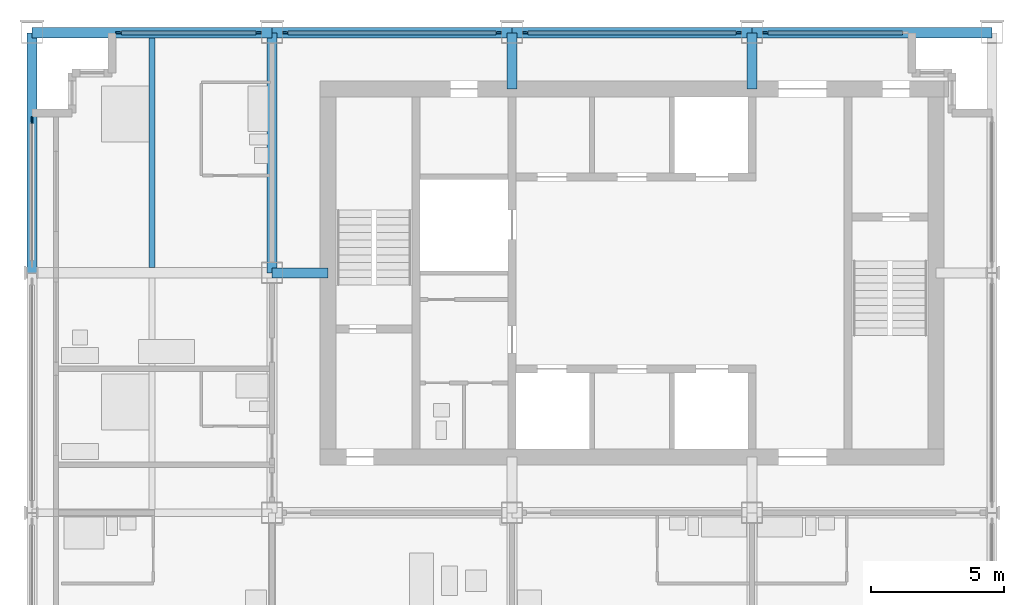
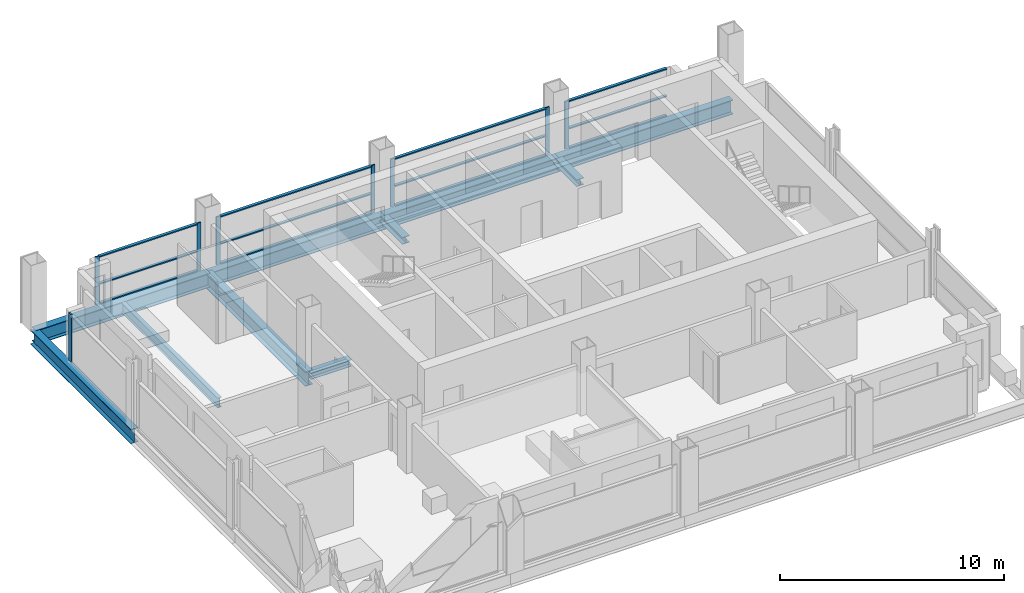
# One storey, part 3 of 11: 23 members, 7 beams, 5 elements without a shape of their own.
"""IFC4 building model written with IfcOpenShell, lengths in metres."""

from ifc_helpers import new_model, si_unit, direction, frame, origin, origin_2d, place, context, subcontext, project, spatial, rectangle, i_section, extrude, material, material_profile, profile_set, type_object, element, aggregate, save


model = new_model("IFC4")

# Units and contexts
model_context = context("Model", 3, precision=1e-05, world=origin(), true_north=direction((0.0, 1.0)))
body_context = subcontext(model_context, "Body", "Model", "MODEL_VIEW")
ifc_project = project(units=[si_unit("LENGTHUNIT", "METRE"), si_unit("AREAUNIT", "SQUARE_METRE"), si_unit("VOLUMEUNIT", "CUBIC_METRE"), si_unit("PLANEANGLEUNIT", "RADIAN"), si_unit("MASSUNIT", "GRAM", prefix="KILO")], contexts=[model_context])

# Site, building, storey
site_placement = place(None, origin())
site = spatial("IfcSite", under=ifc_project, at=site_placement, CompositionType="ELEMENT")
building_placement = place(site_placement, origin())
building = spatial("IfcBuilding", under=site, at=building_placement, Name="Loomwork Tower", CompositionType="ELEMENT")
storey_placement = place(building_placement, frame((0.0, 0.0, 248.199951171875)))
storey = spatial("IfcBuildingStorey", under=building, at=storey_placement, Name="L68", CompositionType="ELEMENT", Elevation=248.199951171875)

# Beam
ifc_material_1 = material(Name="Steel ASTM A992", Category="steel")
ifc_material_profile_1 = material_profile(ifc_material_1, i_section(OverallWidth=0.383544921875, OverallDepth=0.794921875, WebThickness=0.02099609375, FlangeThickness=0.0380859375, at=origin_2d()), Name="W30x235")
ifc_profile_set_1 = profile_set([ifc_material_profile_1], Name="Steel ASTM A992")
beam_type_1 = type_object("IfcBeamType", Name="CORE FLANK GIRDER W30x235", PredefinedType="BEAM", material=ifc_profile_set_1)
beam_1_placement = place(storey_placement, frame((9.0, 18.0, -0.597412109375), z_axis=(0.0, 1.0, 0.0), x_axis=(-1.0, 0.0, 0.0)))
element("IfcBeam", 1, at=beam_1_placement, inside=storey, type_object=beam_type_1, Name="Core Flank Girder F/3-G/3 L68", PredefinedType="BEAM", context=body_context, shape_type="SweptSolid", body=[
    extrude(i_section(OverallWidth=0.383544921875, OverallDepth=0.794921875, WebThickness=0.02099609375, FlangeThickness=0.0380859375, at=origin_2d()), origin(), (0.0, 0.0, 1.0), 9.0),
])

# Members
ifc_material_2 = material(Name="Steel ASTM A992", Category="steel")
ifc_material_profile_2 = material_profile(ifc_material_2, i_section(OverallWidth=0.373291015625, OverallDepth=0.373291015625, WebThickness=0.016357421875, FlangeThickness=0.026123046875, at=origin_2d()), Name="W14x132")
ifc_profile_set_2 = profile_set([ifc_material_profile_2], Name="Steel ASTM A992")
member_type_1 = type_object("IfcMemberType", Name="CORE LINK STRUT W14x132", PredefinedType="STRUT", material=ifc_profile_set_2)
for number, where, z_axis, x_axis, name in (
    (2, (18.0, 27.0, -0.38671875), (0.0, -1.0, 0.0), (1.0, 0.0, 0.0), "Core link strut G/4-18.000,24.900 L68"),
    (3, (27.0, 27.0, -0.38671875), (0.0, -1.0, 0.0), (1.0, 0.0, 0.0), "Core link strut G/5-27.000,24.900 L68"),
    (4, (9.0, 18.0, -0.38671875), (1.0, 0.0, 0.0), (0.0, 1.0, 0.0), "Core link strut F/3-11.100,18.000 L68"),
):
    element("IfcMember", number, at=place(storey_placement, frame(where, z_axis=z_axis, x_axis=x_axis)), inside=storey, type_object=member_type_1, Name=name, PredefinedType="STRUT", context=body_context, shape_type="SweptSolid", body=[
        extrude(i_section(OverallWidth=0.373291015625, OverallDepth=0.373291015625, WebThickness=0.016357421875, FlangeThickness=0.026123046875, at=origin_2d()), origin(), (0.0, 0.0, 1.0), 2.10009765625),
    ])

# Beam
ifc_material_3 = material(Name="Steel ASTM A992", Category="steel")
ifc_material_profile_3 = material_profile(ifc_material_3, i_section(OverallWidth=0.2109375, OverallDepth=0.53857421875, WebThickness=0.011474609375, FlangeThickness=0.018798828125, at=origin_2d()), Name="W21x73")
ifc_profile_set_3 = profile_set([ifc_material_profile_3], Name="Steel ASTM A992")
beam_type_2 = type_object("IfcBeamType", Name="FLOOR JOIST W21x73", PredefinedType="JOIST", material=ifc_profile_set_3)
beam_2_placement = place(storey_placement, frame((4.5, 18.19091796875, -0.46923828125), z_axis=(0.0, 1.0, 0.0), x_axis=(-1.0, 0.0, 0.0)))
element("IfcBeam", 5, at=beam_2_placement, inside=storey, type_object=beam_type_2, Name="Floor Joist 4.500,18.000-4.500,27.000 L68", PredefinedType="JOIST", context=body_context, shape_type="SweptSolid", body=[
    extrude(i_section(OverallWidth=0.2109375, OverallDepth=0.53857421875, WebThickness=0.011474609375, FlangeThickness=0.018798828125, at=origin_2d()), origin(), (0.0, 0.0, 1.0), 8.619140625),
])

# Curtain wall, member
ifc_material_4 = material(Name="Aluminium curtain wall frame", Category="aluminium")
curtain_wall_type_1 = type_object("IfcCurtainWallType", Name="Outer skin glazing suites", PredefinedType="NOTDEFINED", material=ifc_material_4)
curtain_wall_1_placement = place(storey_placement, origin())
curtain_wall_1 = element("IfcCurtainWall", 6, at=curtain_wall_1_placement, inside=storey, type_object=curtain_wall_type_1, Name="Outer skin glazing suites cw/W-18", PredefinedType="NOTDEFINED")
ifc_material_5 = material(Name="Aluminium curtain wall frame", Category="aluminium")
ifc_material_profile_4 = material_profile(ifc_material_5, rectangle(XDim=0.06494140625, YDim=0.25, at=origin_2d()), Name="AL 65x250")
ifc_profile_set_4 = profile_set([ifc_material_profile_4], Name="Aluminium curtain wall frame")
member_type_2 = type_object("IfcMemberType", Name="Outer skin glazing suites mullion", PredefinedType="MULLION", material=ifc_profile_set_4)
member_1_placement = place(storey_placement, frame((0.0, 23.72509765625, 0.0), z_axis=(0.0, 0.0, 1.0), x_axis=(1.0, 0.0, 0.0)))
member_1 = element("IfcMember", 7, at=member_1_placement, type_object=member_type_2, Name="CW2 mullion 1", PredefinedType="MULLION", context=body_context, shape_type="SweptSolid", body=[
    extrude(rectangle(XDim=0.06494140625, YDim=0.25, at=origin_2d()), origin(), (0.0, 0.0, 1.0), 2.620361328125),
])
aggregate(curtain_wall_1, [member_1])

# Beams
ifc_material_6 = material(Name="Steel ASTM A992", Category="steel")
ifc_material_profile_5 = material_profile(ifc_material_6, i_section(OverallWidth=0.381103515625, OverallDepth=0.77978515625, WebThickness=0.01806640625, FlangeThickness=0.0302734375, at=origin_2d()), Name="W30x191")
ifc_profile_set_5 = profile_set([ifc_material_profile_5], Name="Steel ASTM A992")
beam_type_3 = type_object("IfcBeamType", Name="SPANDREL GIRDER W30x191", PredefinedType="SPANDREL", material=ifc_profile_set_5)
for number, where, z_axis, x_axis, name in (
    (8, (0.0, 27.0, -0.58984375), (1.0, 0.0, 0.0), (0.0, 1.0, 0.0), "Spandrel Girder G/2-G/3 L68"),
    (9, (9.0, 27.0, -0.58984375), (1.0, 0.0, 0.0), (0.0, 1.0, 0.0), "Spandrel Girder G/3-G/4 L68"),
    (10, (18.0, 27.0, -0.58984375), (1.0, 0.0, 0.0), (0.0, 1.0, 0.0), "Spandrel Girder G/4-G/5 L68"),
    (11, (27.0, 27.0, -0.58984375), (1.0, 0.0, 0.0), (0.0, 1.0, 0.0), "Spandrel Girder G/5-G/6 L68"),
    (12, (0.0, 18.0, -0.58984375), (0.0, 1.0, 0.0), (-1.0, 0.0, 0.0), "Spandrel Girder F/2-G/2 L68"),
):
    element("IfcBeam", number, at=place(storey_placement, frame(where, z_axis=z_axis, x_axis=x_axis)), inside=storey, type_object=beam_type_3, Name=name, PredefinedType="SPANDREL", context=body_context, shape_type="SweptSolid", body=[
        extrude(i_section(OverallWidth=0.381103515625, OverallDepth=0.77978515625, WebThickness=0.01806640625, FlangeThickness=0.0302734375, at=origin_2d()), origin(), (0.0, 0.0, 1.0), 9.0),
    ])

# Curtain wall, members
ifc_material_7 = material(Name="Aluminium curtain wall frame", Category="aluminium")
curtain_wall_type_2 = type_object("IfcCurtainWallType", Name="Single skin glazing corridor", PredefinedType="NOTDEFINED", material=ifc_material_7)
curtain_wall_2_placement = place(storey_placement, origin())
curtain_wall_2 = element("IfcCurtainWall", 13, at=curtain_wall_2_placement, inside=storey, type_object=curtain_wall_type_2, Name="Single skin glazing corridor cw/N-0", PredefinedType="NOTDEFINED")
ifc_material_8 = material(Name="Aluminium curtain wall frame", Category="aluminium")
ifc_material_profile_6 = material_profile(ifc_material_8, rectangle(XDim=0.06494140625, YDim=0.199951171875, at=origin_2d()), Name="AL 65x200")
ifc_profile_set_6 = profile_set([ifc_material_profile_6], Name="Aluminium curtain wall frame")
member_type_3 = type_object("IfcMemberType", Name="Single skin glazing corridor mullion", PredefinedType="MULLION", material=ifc_profile_set_6)
member_2_placement = place(storey_placement, frame((8.5, 27.0, 0.0), z_axis=(0.0, 0.0, 1.0), x_axis=(0.0, -1.0, 0.0)))
member_2 = element("IfcMember", 14, at=member_2_placement, type_object=member_type_3, Name="CW3 mullion 1", PredefinedType="MULLION", context=body_context, shape_type="SweptSolid", body=[
    extrude(rectangle(XDim=0.06494140625, YDim=0.199951171875, at=origin_2d()), origin(), (0.0, 0.0, 1.0), 2.620361328125),
])
member_3_placement = place(storey_placement, frame((3.25, 27.0, 0.0), z_axis=(0.0, 0.0, 1.0), x_axis=(0.0, -1.0, 0.0)))
member_3 = element("IfcMember", 15, at=member_3_placement, type_object=member_type_3, Name="CW3 mullion 2", PredefinedType="MULLION", context=body_context, shape_type="SweptSolid", body=[
    extrude(rectangle(XDim=0.06494140625, YDim=0.199951171875, at=origin_2d()), origin(), (0.0, 0.0, 1.0), 2.620361328125),
])

curtain_wall_3_placement = place(storey_placement, origin())
curtain_wall_3 = element("IfcCurtainWall", 16, at=curtain_wall_3_placement, inside=storey, type_object=curtain_wall_type_2, Name="Single skin glazing corridor cw/N-9", PredefinedType="NOTDEFINED")
member_4_placement = place(storey_placement, frame((17.5, 27.0, 0.0), z_axis=(0.0, 0.0, 1.0), x_axis=(0.0, -1.0, 0.0)))
member_4 = element("IfcMember", 17, at=member_4_placement, type_object=member_type_3, Name="CW3 mullion 1", PredefinedType="MULLION", context=body_context, shape_type="SweptSolid", body=[
    extrude(rectangle(XDim=0.06494140625, YDim=0.199951171875, at=origin_2d()), origin(), (0.0, 0.0, 1.0), 2.620361328125),
])
member_5_placement = place(storey_placement, frame((9.5, 27.0, 0.0), z_axis=(0.0, 0.0, 1.0), x_axis=(0.0, -1.0, 0.0)))
member_5 = element("IfcMember", 18, at=member_5_placement, type_object=member_type_3, Name="CW3 mullion 2", PredefinedType="MULLION", context=body_context, shape_type="SweptSolid", body=[
    extrude(rectangle(XDim=0.06494140625, YDim=0.199951171875, at=origin_2d()), origin(), (0.0, 0.0, 1.0), 2.620361328125),
])

curtain_wall_4_placement = place(storey_placement, origin())
curtain_wall_4 = element("IfcCurtainWall", 19, at=curtain_wall_4_placement, inside=storey, type_object=curtain_wall_type_2, Name="Single skin glazing corridor cw/N-18", PredefinedType="NOTDEFINED")
member_6_placement = place(storey_placement, frame((26.5, 27.0, 0.0), z_axis=(0.0, 0.0, 1.0), x_axis=(0.0, -1.0, 0.0)))
member_6 = element("IfcMember", 20, at=member_6_placement, type_object=member_type_3, Name="CW3 mullion 1", PredefinedType="MULLION", context=body_context, shape_type="SweptSolid", body=[
    extrude(rectangle(XDim=0.06494140625, YDim=0.199951171875, at=origin_2d()), origin(), (0.0, 0.0, 1.0), 2.620361328125),
])
member_7_placement = place(storey_placement, frame((18.5, 27.0, 0.0), z_axis=(0.0, 0.0, 1.0), x_axis=(0.0, -1.0, 0.0)))
member_7 = element("IfcMember", 21, at=member_7_placement, type_object=member_type_3, Name="CW3 mullion 2", PredefinedType="MULLION", context=body_context, shape_type="SweptSolid", body=[
    extrude(rectangle(XDim=0.06494140625, YDim=0.199951171875, at=origin_2d()), origin(), (0.0, 0.0, 1.0), 2.620361328125),
])

# Curtain wall, member
curtain_wall_5_placement = place(storey_placement, origin())
curtain_wall_5 = element("IfcCurtainWall", 22, at=curtain_wall_5_placement, inside=storey, type_object=curtain_wall_type_2, Name="Single skin glazing corridor cw/N-27", PredefinedType="NOTDEFINED")
member_8_placement = place(storey_placement, frame((27.5, 27.0, 0.0), z_axis=(0.0, 0.0, 1.0), x_axis=(0.0, -1.0, 0.0)))
member_8 = element("IfcMember", 23, at=member_8_placement, type_object=member_type_3, Name="CW3 mullion 2", PredefinedType="MULLION", context=body_context, shape_type="SweptSolid", body=[
    extrude(rectangle(XDim=0.06494140625, YDim=0.199951171875, at=origin_2d()), origin(), (0.0, 0.0, 1.0), 2.620361328125),
])

# Member
ifc_material_9 = material(Name="Aluminium curtain wall frame", Category="aluminium")
ifc_material_profile_7 = material_profile(ifc_material_9, rectangle(XDim=0.14990234375, YDim=0.06494140625, at=origin_2d()), Name="AL 65x150")
ifc_profile_set_7 = profile_set([ifc_material_profile_7], Name="Aluminium curtain wall frame")
member_type_4 = type_object("IfcMemberType", Name="Single skin glazing corridor transom", PredefinedType="USERDEFINED", material=ifc_profile_set_7)
member_9_placement = place(storey_placement, frame((8.39990234375, 27.0, 0.032470703125), z_axis=(-1.0, 0.0, 0.0), x_axis=(0.0, -1.0, 0.0)))
member_9 = element("IfcMember", 24, at=member_9_placement, type_object=member_type_4, Name="CW3 transom 1.1", ObjectType="TRANSOM", PredefinedType="USERDEFINED", context=body_context, shape_type="SweptSolid", body=[
    extrude(rectangle(XDim=0.14990234375, YDim=0.06494140625, at=origin_2d()), origin(), (0.0, 0.0, 1.0), 5.0498046875),
])

member_10_placement = place(storey_placement, frame((8.39990234375, 27.0, 1.10009765625), z_axis=(-1.0, 0.0, 0.0), x_axis=(0.0, -1.0, 0.0)))
member_10 = element("IfcMember", 25, at=member_10_placement, type_object=member_type_4, Name="CW3 transom 1.2", ObjectType="TRANSOM", PredefinedType="USERDEFINED", context=body_context, shape_type="SweptSolid", body=[
    extrude(rectangle(XDim=0.14990234375, YDim=0.06494140625, at=origin_2d()), origin(), (0.0, 0.0, 1.0), 5.0498046875),
])

member_11_placement = place(storey_placement, frame((8.39990234375, 27.0, 2.587646484375), z_axis=(-1.0, 0.0, 0.0), x_axis=(0.0, -1.0, 0.0)))
member_11 = element("IfcMember", 26, at=member_11_placement, type_object=member_type_4, Name="CW3 transom 1.3", ObjectType="TRANSOM", PredefinedType="USERDEFINED", context=body_context, shape_type="SweptSolid", body=[
    extrude(rectangle(XDim=0.14990234375, YDim=0.06494140625, at=origin_2d()), origin(), (0.0, 0.0, 1.0), 5.0498046875),
])

aggregate(curtain_wall_2, [member_2, member_3, member_9, member_10, member_11])

member_12_placement = place(storey_placement, frame((17.39990234375, 27.0, 0.032470703125), z_axis=(-1.0, 0.0, 0.0), x_axis=(0.0, -1.0, 0.0)))
member_12 = element("IfcMember", 27, at=member_12_placement, type_object=member_type_4, Name="CW3 transom 1.1", ObjectType="TRANSOM", PredefinedType="USERDEFINED", context=body_context, shape_type="SweptSolid", body=[
    extrude(rectangle(XDim=0.14990234375, YDim=0.06494140625, at=origin_2d()), origin(), (0.0, 0.0, 1.0), 7.7998046875),
])

member_13_placement = place(storey_placement, frame((17.39990234375, 27.0, 1.10009765625), z_axis=(-1.0, 0.0, 0.0), x_axis=(0.0, -1.0, 0.0)))
member_13 = element("IfcMember", 28, at=member_13_placement, type_object=member_type_4, Name="CW3 transom 1.2", ObjectType="TRANSOM", PredefinedType="USERDEFINED", context=body_context, shape_type="SweptSolid", body=[
    extrude(rectangle(XDim=0.14990234375, YDim=0.06494140625, at=origin_2d()), origin(), (0.0, 0.0, 1.0), 7.7998046875),
])

member_14_placement = place(storey_placement, frame((17.39990234375, 27.0, 2.587646484375), z_axis=(-1.0, 0.0, 0.0), x_axis=(0.0, -1.0, 0.0)))
member_14 = element("IfcMember", 29, at=member_14_placement, type_object=member_type_4, Name="CW3 transom 1.3", ObjectType="TRANSOM", PredefinedType="USERDEFINED", context=body_context, shape_type="SweptSolid", body=[
    extrude(rectangle(XDim=0.14990234375, YDim=0.06494140625, at=origin_2d()), origin(), (0.0, 0.0, 1.0), 7.7998046875),
])

aggregate(curtain_wall_3, [member_4, member_5, member_12, member_13, member_14])

member_15_placement = place(storey_placement, frame((26.39990234375, 27.0, 0.032470703125), z_axis=(-1.0, 0.0, 0.0), x_axis=(0.0, -1.0, 0.0)))
member_15 = element("IfcMember", 30, at=member_15_placement, type_object=member_type_4, Name="CW3 transom 1.1", ObjectType="TRANSOM", PredefinedType="USERDEFINED", context=body_context, shape_type="SweptSolid", body=[
    extrude(rectangle(XDim=0.14990234375, YDim=0.06494140625, at=origin_2d()), origin(), (0.0, 0.0, 1.0), 7.7998046875),
])

member_16_placement = place(storey_placement, frame((26.39990234375, 27.0, 1.10009765625), z_axis=(-1.0, 0.0, 0.0), x_axis=(0.0, -1.0, 0.0)))
member_16 = element("IfcMember", 31, at=member_16_placement, type_object=member_type_4, Name="CW3 transom 1.2", ObjectType="TRANSOM", PredefinedType="USERDEFINED", context=body_context, shape_type="SweptSolid", body=[
    extrude(rectangle(XDim=0.14990234375, YDim=0.06494140625, at=origin_2d()), origin(), (0.0, 0.0, 1.0), 7.7998046875),
])

member_17_placement = place(storey_placement, frame((26.39990234375, 27.0, 2.587646484375), z_axis=(-1.0, 0.0, 0.0), x_axis=(0.0, -1.0, 0.0)))
member_17 = element("IfcMember", 32, at=member_17_placement, type_object=member_type_4, Name="CW3 transom 1.3", ObjectType="TRANSOM", PredefinedType="USERDEFINED", context=body_context, shape_type="SweptSolid", body=[
    extrude(rectangle(XDim=0.14990234375, YDim=0.06494140625, at=origin_2d()), origin(), (0.0, 0.0, 1.0), 7.7998046875),
])

aggregate(curtain_wall_4, [member_6, member_7, member_15, member_16, member_17])

member_18_placement = place(storey_placement, frame((32.64990234375, 27.0, 0.032470703125), z_axis=(-1.0, 0.0, 0.0), x_axis=(0.0, -1.0, 0.0)))
member_18 = element("IfcMember", 33, at=member_18_placement, type_object=member_type_4, Name="CW3 transom 1.1", ObjectType="TRANSOM", PredefinedType="USERDEFINED", context=body_context, shape_type="SweptSolid", body=[
    extrude(rectangle(XDim=0.14990234375, YDim=0.06494140625, at=origin_2d()), origin(), (0.0, 0.0, 1.0), 5.0498046875),
])

member_19_placement = place(storey_placement, frame((32.64990234375, 27.0, 1.10009765625), z_axis=(-1.0, 0.0, 0.0), x_axis=(0.0, -1.0, 0.0)))
member_19 = element("IfcMember", 34, at=member_19_placement, type_object=member_type_4, Name="CW3 transom 1.2", ObjectType="TRANSOM", PredefinedType="USERDEFINED", context=body_context, shape_type="SweptSolid", body=[
    extrude(rectangle(XDim=0.14990234375, YDim=0.06494140625, at=origin_2d()), origin(), (0.0, 0.0, 1.0), 5.0498046875),
])

member_20_placement = place(storey_placement, frame((32.64990234375, 27.0, 2.587646484375), z_axis=(-1.0, 0.0, 0.0), x_axis=(0.0, -1.0, 0.0)))
member_20 = element("IfcMember", 35, at=member_20_placement, type_object=member_type_4, Name="CW3 transom 1.3", ObjectType="TRANSOM", PredefinedType="USERDEFINED", context=body_context, shape_type="SweptSolid", body=[
    extrude(rectangle(XDim=0.14990234375, YDim=0.06494140625, at=origin_2d()), origin(), (0.0, 0.0, 1.0), 5.0498046875),
])

aggregate(curtain_wall_5, [member_8, member_18, member_19, member_20])

save(model, "model.ifc")
